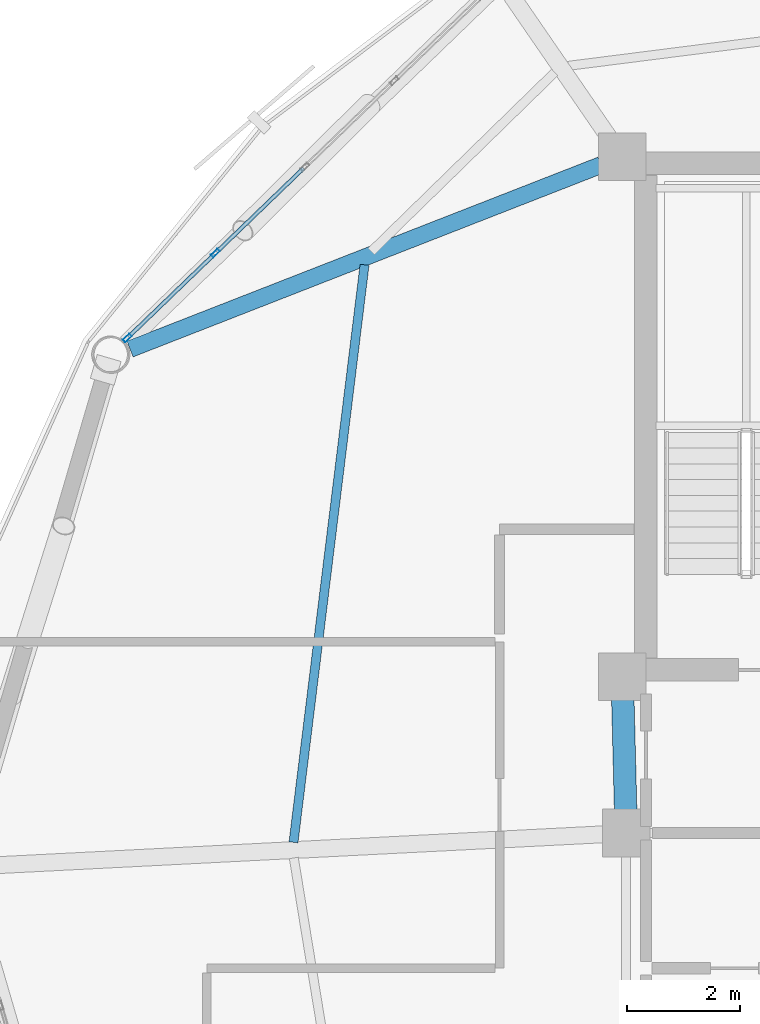
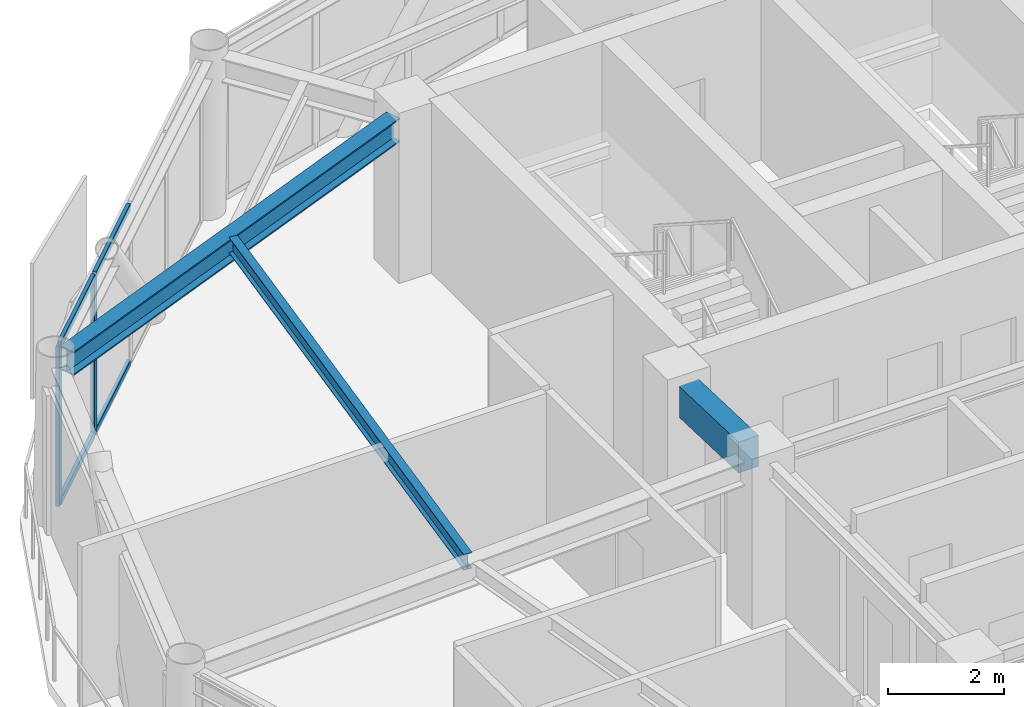
# One storey, part 11 of 26: 6 members, 3 beams, 1 element without a shape of its own.
"""IFC4 building model written with IfcOpenShell, lengths in metres."""

from ifc_helpers import new_model, si_unit, direction, frame, origin, origin_2d, place, context, subcontext, project, spatial, rectangle, hollow_rectangle, i_section, extrude, material, layer, layer_set, material_profile, profile_set, type_object, element, aggregate, save


model = new_model("IFC4")

# Units and contexts
model_context = context("Model", 3, precision=1e-05, world=origin(), true_north=direction((0.0, 1.0)))
body_context = subcontext(model_context, "Body", "Model", "MODEL_VIEW")
ifc_project = project(units=[si_unit("LENGTHUNIT", "METRE"), si_unit("AREAUNIT", "SQUARE_METRE"), si_unit("VOLUMEUNIT", "CUBIC_METRE"), si_unit("PLANEANGLEUNIT", "RADIAN"), si_unit("MASSUNIT", "GRAM", prefix="KILO")], contexts=[model_context])

# Site, building, storey
site_placement = place(None, origin())
site = spatial("IfcSite", under=ifc_project, at=site_placement, CompositionType="ELEMENT")
building_placement = place(site_placement, origin())
building = spatial("IfcBuilding", under=site, at=building_placement, Name="Varnakorn Sky Granary", CompositionType="ELEMENT")
storey_placement = place(building_placement, frame((0.0, 0.0, 218.39990234375)))
storey = spatial("IfcBuildingStorey", under=building, at=storey_placement, Name="L55", CompositionType="ELEMENT", Elevation=218.39990234375)

# Beams
ifc_material_1 = material(Name="Concrete C50/60", Category="concrete")
ifc_material_profile_1 = material_profile(ifc_material_1, rectangle(XDim=0.39990234375, YDim=0.64990234375, at=origin_2d()), Name="RC 400x650")
ifc_profile_set_1 = profile_set([ifc_material_profile_1], Name="Concrete C50/60")
beam_type_1 = type_object("IfcBeamType", Name="BM-LIN-650", PredefinedType="LINTEL", material=ifc_profile_set_1)
beam_1_placement = place(storey_placement, frame((-2.409912109375, 2.97509765625, 3.03515625), z_axis=(0.025270737467, -0.99968064392, 0.0), x_axis=(0.99968064392, 0.025270737467, 0.0)))
element("IfcBeam", 1, at=beam_1_placement, inside=storey, type_object=beam_type_1, Name="Core Spine Framing Beam 1 L55", PredefinedType="LINTEL", context=body_context, shape_type="SweptSolid", body=[
    extrude(rectangle(XDim=0.39990234375, YDim=0.64990234375, at=origin_2d()), origin(), (0.0, 0.0, 1.0), 1.970947265625),
])
ifc_material_2 = material(Name="Steel S355JR", Category="steel")
ifc_material_profile_2 = material_profile(ifc_material_2, i_section(OverallWidth=0.300048828125, OverallDepth=0.5, WebThickness=0.014404296875, FlangeThickness=0.028076171875, at=origin_2d()), Name="HE 500 B")
ifc_profile_set_2 = profile_set([ifc_material_profile_2], Name="Steel S355JR")
beam_type_2 = type_object("IfcBeamType", Name="BM-RAD-Z4", PredefinedType="BEAM", material=ifc_profile_set_2)
beam_2_placement = place(storey_placement, frame((-2.797119140625, 12.47265625, 3.110107421875), z_axis=(-0.931422241602, -0.363940390517, 0.0), x_axis=(0.363940390517, -0.931422241602, 0.0)))
element("IfcBeam", 2, at=beam_2_placement, inside=storey, type_object=beam_type_2, Name="Radial Floor Girder RG06 L55", PredefinedType="BEAM", context=body_context, shape_type="SweptSolid", body=[
    extrude(i_section(OverallWidth=0.300048828125, OverallDepth=0.5, WebThickness=0.014404296875, FlangeThickness=0.028076171875, at=origin_2d()), origin(), (0.0, 0.0, 1.0), 8.986328125),
])
ifc_material_profile_3 = material_profile(ifc_material_2, i_section(OverallWidth=0.159912109375, OverallDepth=0.330078125, WebThickness=0.007568359375, FlangeThickness=0.011474609375, at=origin_2d()), Name="IPE 330")
ifc_profile_set_3 = profile_set([ifc_material_profile_3], Name="Steel S355JR")
beam_type_3 = type_object("IfcBeamType", Name="BM-SEC-Z4", PredefinedType="BEAM", material=ifc_profile_set_3)
beam_3_placement = place(storey_placement, frame((-6.99951171875, 10.698486328125, 3.195068359375), z_axis=(-0.122128003881, -0.992514357915, 0.0), x_axis=(0.992514357915, -0.122128003881, 0.0)))
element("IfcBeam", 3, at=beam_3_placement, inside=storey, type_object=beam_type_3, Name="Secondary Floor Chord Beam MSB06 L55", PredefinedType="BEAM", context=body_context, shape_type="SweptSolid", body=[
    extrude(i_section(OverallWidth=0.159912109375, OverallDepth=0.330078125, WebThickness=0.007568359375, FlangeThickness=0.011474609375, at=origin_2d()), origin(), (0.0, 0.0, 1.0), 10.339111328125),
])

# Curtain wall, members
ifc_material_3 = material(Name="Anodised Bronze Aluminium Alloy 6063-T6", Category="aluminium")
ifc_layer = layer(ifc_material_3, 0.169921875, Name="Anodised Bronze Aluminium Alloy 6063-T6")
ifc_layer_set = layer_set([ifc_layer], Name="Anodised Bronze Aluminium Alloy 6063-T6")
curtain_wall_type = type_object("IfcCurtainWallType", Name="CW-LAB-1", PredefinedType="USERDEFINED", material=ifc_layer_set)
curtain_wall_placement = place(storey_placement, origin())
curtain_wall = element("IfcCurtainWall", 4, at=curtain_wall_placement, inside=storey, type_object=curtain_wall_type, Name="Unitised Curtain Wall CW5 CW-L55-B05", ObjectType="CURTAIN WALL", PredefinedType="USERDEFINED")
ifc_material_profile_4 = material_profile(ifc_material_3, hollow_rectangle(XDim=0.06494140625, YDim=0.159912109375, WallThickness=0.00341796875, at=origin_2d()), Name="ALU MULL 65x160")
ifc_profile_set_4 = profile_set([ifc_material_profile_4], Name="Anodised Bronze Aluminium Alloy 6063-T6")
member_type_1 = type_object("IfcMemberType", Name="CW-LAB-1-MULL", PredefinedType="MULLION", material=ifc_profile_set_4)
member_1_placement = place(storey_placement, frame((-11.21533203125, 9.397705078125, 0.0), z_axis=(0.0, 0.0, 1.0), x_axis=(-0.693784930795, 0.72018224763, 0.0)))
member_1 = element("IfcMember", 5, at=member_1_placement, type_object=member_type_1, Name="CW5 mullion 1", PredefinedType="MULLION", context=body_context, shape_type="SweptSolid", body=[
    extrude(hollow_rectangle(XDim=0.06494140625, YDim=0.159912109375, WallThickness=0.00341796875, at=origin_2d()), origin(), (0.0, 0.0, 1.0), 3.360107421875),
])
member_2_placement = place(storey_placement, frame((-9.6494140625, 10.906005859375, 0.0), z_axis=(0.0, 0.0, 1.0), x_axis=(-0.693784930795, 0.72018224763, 0.0)))
member_2 = element("IfcMember", 6, at=member_2_placement, type_object=member_type_1, Name="CW5 mullion 2", PredefinedType="MULLION", context=body_context, shape_type="SweptSolid", body=[
    extrude(hollow_rectangle(XDim=0.06494140625, YDim=0.159912109375, WallThickness=0.00341796875, at=origin_2d()), origin(), (0.0, 0.0, 1.0), 3.360107421875),
])
ifc_material_profile_5 = material_profile(ifc_material_3, hollow_rectangle(XDim=0.070068359375, YDim=0.139892578125, WallThickness=0.00341796875, at=origin_2d()), Name="ALU TRAN 70x140")
ifc_profile_set_5 = profile_set([ifc_material_profile_5], Name="Anodised Bronze Aluminium Alloy 6063-T6")
member_type_2 = type_object("IfcMemberType", Name="CW-LAB-1-TRAN", PredefinedType="USERDEFINED", material=ifc_profile_set_5)
member_3_placement = place(storey_placement, frame((-11.19189453125, 9.420166015625, 0.03515625), z_axis=(0.72017883047, 0.693788477955, 0.0), x_axis=(-0.693788477955, 0.72017883047, 0.0)))
member_3 = element("IfcMember", 7, at=member_3_placement, type_object=member_type_2, Name="CW5 transom 1.1", ObjectType="TRANSOM", PredefinedType="USERDEFINED", context=body_context, shape_type="SweptSolid", body=[
    extrude(hollow_rectangle(XDim=0.070068359375, YDim=0.139892578125, WallThickness=0.00341796875, at=origin_2d()), origin(), (0.0, 0.0, 1.0), 2.109375),
])
member_4_placement = place(storey_placement, frame((-11.19189453125, 9.420166015625, 3.3251953125), z_axis=(0.72017883047, 0.693788477955, 0.0), x_axis=(-0.693788477955, 0.72017883047, 0.0)))
member_4 = element("IfcMember", 8, at=member_4_placement, type_object=member_type_2, Name="CW5 transom 1.2", ObjectType="TRANSOM", PredefinedType="USERDEFINED", context=body_context, shape_type="SweptSolid", body=[
    extrude(hollow_rectangle(XDim=0.070068359375, YDim=0.139892578125, WallThickness=0.00341796875, at=origin_2d()), origin(), (0.0, 0.0, 1.0), 2.109375),
])
member_5_placement = place(storey_placement, frame((-9.6259765625, 10.9287109375, 0.03515625), z_axis=(0.720151420341, 0.693816929586, 0.0), x_axis=(-0.693816929586, 0.720151420341, 0.0)))
member_5 = element("IfcMember", 9, at=member_5_placement, type_object=member_type_2, Name="CW5 transom 2.1", ObjectType="TRANSOM", PredefinedType="USERDEFINED", context=body_context, shape_type="SweptSolid", body=[
    extrude(hollow_rectangle(XDim=0.070068359375, YDim=0.139892578125, WallThickness=0.00341796875, at=origin_2d()), origin(), (0.0, 0.0, 1.0), 2.1416015625),
])
member_6_placement = place(storey_placement, frame((-9.6259765625, 10.9287109375, 3.3251953125), z_axis=(0.720151420341, 0.693816929586, 0.0), x_axis=(-0.693816929586, 0.720151420341, 0.0)))
member_6 = element("IfcMember", 10, at=member_6_placement, type_object=member_type_2, Name="CW5 transom 2.2", ObjectType="TRANSOM", PredefinedType="USERDEFINED", context=body_context, shape_type="SweptSolid", body=[
    extrude(hollow_rectangle(XDim=0.070068359375, YDim=0.139892578125, WallThickness=0.00341796875, at=origin_2d()), origin(), (0.0, 0.0, 1.0), 2.1416015625),
])
aggregate(curtain_wall, [member_1, member_2, member_3, member_4, member_5, member_6])

save(model, "model.ifc")
